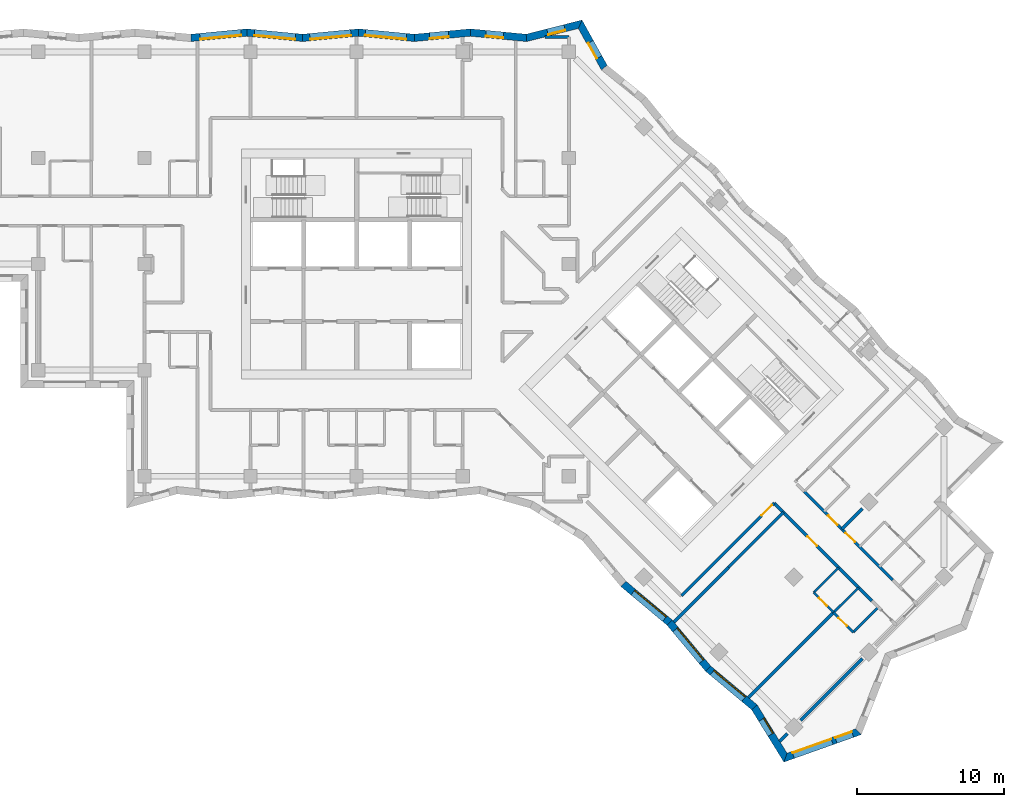
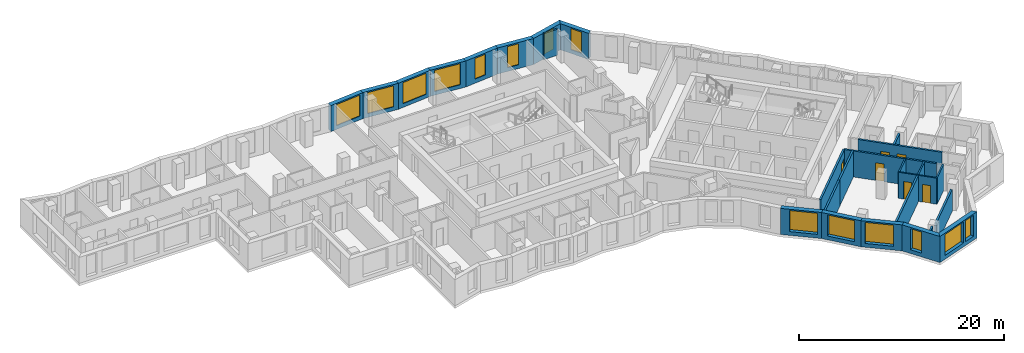
# One storey, part 7 of 12: 28 walls, 14 windows, 6 doors, 20 openings.
"""IFC4 building model written with IfcOpenShell, lengths in metres."""

from ifc_helpers import new_model, si_unit, direction, frame, frame_2d, origin, place, context, subcontext, project, spatial, polyline, rectangle, outline, extrude, material, layer, layer_set, type_object, element, fill, save


model = new_model("IFC4")

# Units and contexts
model_context = context("Model", 3, precision=1e-05, world=origin(), true_north=direction((0.0, 1.0)))
body_context = subcontext(model_context, "Body", "Model", "MODEL_VIEW")
ifc_project = project(units=[si_unit("LENGTHUNIT", "METRE"), si_unit("AREAUNIT", "SQUARE_METRE"), si_unit("VOLUMEUNIT", "CUBIC_METRE"), si_unit("PLANEANGLEUNIT", "RADIAN"), si_unit("MASSUNIT", "GRAM", prefix="KILO")], contexts=[model_context])

# Site, building, storey
site_placement = place(None, origin())
site = spatial("IfcSite", under=ifc_project, at=site_placement, CompositionType="ELEMENT")
building_placement = place(site_placement, origin())
building = spatial("IfcBuilding", under=site, at=building_placement, Name="Windrow Commons", CompositionType="ELEMENT")
storey_placement = place(building_placement, frame((0.0, 0.0, 142.2)))
storey = spatial("IfcBuildingStorey", under=building, at=storey_placement, Name="L38", CompositionType="ELEMENT", Elevation=142.2)

# Wall, openings, windows
ifc_material_1 = material(Name="Brick masonry, red clay brick", Category="masonry")
ifc_layer_1 = layer(ifc_material_1, 0.5)
ifc_layer_set_1 = layer_set([ifc_layer_1], Name="Brick facade wall 500")
wall_type_1 = type_object("IfcWallType", Name="Brick facade wall 500", PredefinedType="SOLIDWALL", material=ifc_layer_set_1)
wall_1_placement = place(storey_placement, frame((93.9006, 24.106, 0.0), z_axis=(0.0, 0.0, 1.0), x_axis=(0.9424200238, 0.3344316056, 0.0)))
wall_1 = element("IfcWall", 1, at=wall_1_placement, inside=storey, type_object=wall_type_1, Name="Brick facade wall L38 1", PredefinedType="SOLIDWALL", context=body_context, shape_type="SweptSolid", body=[
    extrude(outline(polyline([(-0.2019, -0.25), (5.3806, -0.25), (5.1525, 0.25), (0.2019, 0.25), (-0.2019, -0.25)])), origin(), (0.0, 0.0, 1.0), 3.1),
])
opening_1_placement = place(wall_1_placement, frame((0.5514, 0.0, 0.45)))
opening_1 = element("IfcOpeningElement", 2, at=opening_1_placement, cuts=wall_1, Name="Opening W1U", PredefinedType="OPENING", context=body_context, shape_type="SweptSolid", body=[
    extrude(rectangle(XDim=2.8, YDim=2.5, at=frame_2d((1.4, 1.25))), frame((0.0, 0.26, 0.0), z_axis=(0.0, -1.0, 0.0), x_axis=(1.0, 0.0, 0.0)), (0.0, 0.0, 1.0), 0.52),
])
opening_2_placement = place(wall_1_placement, frame((3.6267, 0.0, 0.45)))
opening_2 = element("IfcOpeningElement", 3, at=opening_2_placement, cuts=wall_1, Name="Opening W7E", PredefinedType="OPENING", context=body_context, shape_type="SweptSolid", body=[
    extrude(rectangle(XDim=1.2, YDim=2.5, at=frame_2d((0.6, 1.25))), frame((0.0, 0.26, 0.0), z_axis=(0.0, -1.0, 0.0), x_axis=(1.0, 0.0, 0.0)), (0.0, 0.0, 1.0), 0.52),
])
ifc_material_2 = material(Name="Clear float glass in anodised aluminium frame", Category="aluminium")
window_type_1 = type_object("IfcWindowType", Name="Window W1U bedroom 2800x2500", PartitioningType="SINGLE_PANEL", PredefinedType="WINDOW", material=ifc_material_2)
window_1_placement = place(opening_1_placement, origin())
window_1 = element("IfcWindow", 4, at=window_1_placement, inside=storey, type_object=window_type_1, Name="Window L38 1.1", OverallHeight=2.5, OverallWidth=2.8, PartitioningType="SINGLE_PANEL", PredefinedType="WINDOW", context=body_context, shape_type="SweptSolid", body=[
    extrude(rectangle(XDim=2.8, YDim=2.5, at=frame_2d((1.4, 1.25))), frame((0.0, 0.18, 0.0), z_axis=(0.0, -1.0, 0.0), x_axis=(1.0, 0.0, 0.0)), (0.0, 0.0, 1.0), 0.06),
])
fill(opening_1, window_1)
ifc_material_3 = material(Name="Clear float glass in anodised aluminium frame", Category="aluminium")
window_type_2 = type_object("IfcWindowType", Name="Window W7 notch 1200x2500", PartitioningType="SINGLE_PANEL", PredefinedType="WINDOW", material=ifc_material_3)
window_2_placement = place(opening_2_placement, origin())
window_2 = element("IfcWindow", 5, at=window_2_placement, inside=storey, type_object=window_type_2, Name="Window L38 1.2", OverallHeight=2.5, OverallWidth=1.2, PartitioningType="SINGLE_PANEL", PredefinedType="WINDOW", context=body_context, shape_type="SweptSolid", body=[
    extrude(rectangle(XDim=1.2, YDim=2.5, at=frame_2d((0.6, 1.25))), frame((0.0, 0.18, 0.0), z_axis=(0.0, -1.0, 0.0), x_axis=(1.0, 0.0, 0.0)), (0.0, 0.0, 1.0), 0.06),
])
fill(opening_2, window_2)

# Wall, opening, window
wall_2_placement = place(storey_placement, frame((81.607, 70.9312, 0.0), z_axis=(0.0, 0.0, 1.0), x_axis=(-0.4864047305, 0.8737336197, 0.0)))
wall_2 = element("IfcWall", 6, at=wall_2_placement, inside=storey, type_object=wall_type_1, Name="Brick facade wall L38 18", PredefinedType="SOLIDWALL", context=body_context, shape_type="SweptSolid", body=[
    extrude(outline(polyline([(0.0486, -0.25), (3.5574, -0.25), (3.1729, 0.25), (-0.0486, 0.25), (0.0486, -0.25)])), origin(), (0.0, 0.0, 1.0), 3.1),
])
opening_3_placement = place(wall_2_placement, frame((0.7777, 0.0, 0.45)))
opening_3 = element("IfcOpeningElement", 7, at=opening_3_placement, cuts=wall_2, Name="Opening W7E", PredefinedType="OPENING", context=body_context, shape_type="SweptSolid", body=[
    extrude(rectangle(XDim=1.2, YDim=2.5, at=frame_2d((0.6, 1.25))), frame((0.0, 0.26, 0.0), z_axis=(0.0, -1.0, 0.0), x_axis=(1.0, 0.0, 0.0)), (0.0, 0.0, 1.0), 0.52),
])
window_3_placement = place(opening_3_placement, origin())
window_3 = element("IfcWindow", 8, at=window_3_placement, inside=storey, type_object=window_type_2, Name="Window L38 18.1", OverallHeight=2.5, OverallWidth=1.2, PartitioningType="SINGLE_PANEL", PredefinedType="WINDOW", context=body_context, shape_type="SweptSolid", body=[
    extrude(rectangle(XDim=1.2, YDim=2.5, at=frame_2d((0.6, 1.25))), frame((0.0, 0.18, 0.0), z_axis=(0.0, -1.0, 0.0), x_axis=(1.0, 0.0, 0.0)), (0.0, 0.0, 1.0), 0.06),
])
fill(opening_3, window_3)

wall_3_placement = place(storey_placement, frame((79.9702, 73.8714, 0.0), z_axis=(0.0, 0.0, 1.0), x_axis=(-0.9693397955, -0.2457241559, 0.0)))
wall_3 = element("IfcWall", 9, at=wall_3_placement, inside=storey, type_object=wall_type_1, Name="Brick facade wall L38 19", PredefinedType="SOLIDWALL", context=body_context, shape_type="SweptSolid", body=[
    extrude(outline(polyline([(-0.1922, -0.25), (3.7187, -0.25), (3.8053, 0.25), (0.1922, 0.25), (-0.1922, -0.25)])), origin(), (0.0, 0.0, 1.0), 3.1),
])
opening_4_placement = place(wall_3_placement, frame((1.0783, 0.0, 0.45)))
opening_4 = element("IfcOpeningElement", 10, at=opening_4_placement, cuts=wall_3, Name="Opening W7E", PredefinedType="OPENING", context=body_context, shape_type="SweptSolid", body=[
    extrude(rectangle(XDim=1.2, YDim=2.5, at=frame_2d((0.6, 1.25))), frame((0.0, 0.26, 0.0), z_axis=(0.0, -1.0, 0.0), x_axis=(1.0, 0.0, 0.0)), (0.0, 0.0, 1.0), 0.52),
])
window_4_placement = place(opening_4_placement, origin())
window_4 = element("IfcWindow", 11, at=window_4_placement, inside=storey, type_object=window_type_2, Name="Window L38 19.1", OverallHeight=2.5, OverallWidth=1.2, PartitioningType="SINGLE_PANEL", PredefinedType="WINDOW", context=body_context, shape_type="SweptSolid", body=[
    extrude(rectangle(XDim=1.2, YDim=2.5, at=frame_2d((0.6, 1.25))), frame((0.0, 0.18, 0.0), z_axis=(0.0, -1.0, 0.0), x_axis=(1.0, 0.0, 0.0)), (0.0, 0.0, 1.0), 0.06),
])
fill(opening_4, window_4)

wall_4_placement = place(storey_placement, frame((76.3236, 72.947, 0.0), z_axis=(0.0, 0.0, 1.0), x_axis=(-0.99549559, 0.0948078598, 0.0)))
wall_4 = element("IfcWall", 12, at=wall_4_placement, inside=storey, type_object=wall_type_1, Name="Brick facade wall L38 20", PredefinedType="SOLIDWALL", context=body_context, shape_type="SweptSolid", body=[
    extrude(outline(polyline([(0.0433, -0.25), (3.8515, -0.25), (3.8039, 0.25), (-0.0433, 0.25), (0.0433, -0.25)])), origin(), (0.0, 0.0, 1.0), 3.1),
])
opening_5_placement = place(wall_4_placement, frame((1.5654, 0.0, 0.45)))
opening_5 = element("IfcOpeningElement", 13, at=opening_5_placement, cuts=wall_4, Name="Opening W7E", PredefinedType="OPENING", context=body_context, shape_type="SweptSolid", body=[
    extrude(rectangle(XDim=1.2, YDim=2.5, at=frame_2d((0.6, 1.25))), frame((0.0, 0.26, 0.0), z_axis=(0.0, -1.0, 0.0), x_axis=(1.0, 0.0, 0.0)), (0.0, 0.0, 1.0), 0.52),
])
window_5_placement = place(opening_5_placement, origin())
window_5 = element("IfcWindow", 14, at=window_5_placement, inside=storey, type_object=window_type_2, Name="Window L38 20.1", OverallHeight=2.5, OverallWidth=1.2, PartitioningType="SINGLE_PANEL", PredefinedType="WINDOW", context=body_context, shape_type="SweptSolid", body=[
    extrude(rectangle(XDim=1.2, YDim=2.5, at=frame_2d((0.6, 1.25))), frame((0.0, 0.18, 0.0), z_axis=(0.0, -1.0, 0.0), x_axis=(1.0, 0.0, 0.0)), (0.0, 0.0, 1.0), 0.06),
])
fill(opening_5, window_5)

wall_5_placement = place(storey_placement, frame((72.5131, 73.3099, 0.0), z_axis=(0.0, 0.0, 1.0), x_axis=(-0.9954966527, -0.0947967005, 0.0)))
wall_5 = element("IfcWall", 15, at=wall_5_placement, inside=storey, type_object=wall_type_1, Name="Brick facade wall L38 21", PredefinedType="SOLIDWALL", context=body_context, shape_type="SweptSolid", body=[
    extrude(outline(polyline([(-0.0238, -0.25), (3.7844, -0.25), (3.832, 0.25), (0.0238, 0.25), (-0.0238, -0.25)])), origin(), (0.0, 0.0, 1.0), 3.1),
])
opening_6_placement = place(wall_5_placement, frame((1.4706, 0.0, 0.5)))
opening_6 = element("IfcOpeningElement", 16, at=opening_6_placement, cuts=wall_5, Name="Opening W1P", PredefinedType="OPENING", context=body_context, shape_type="SweptSolid", body=[
    extrude(rectangle(XDim=1.3, YDim=2.45, at=frame_2d((0.65, 1.225))), frame((0.0, 0.26, 0.0), z_axis=(0.0, -1.0, 0.0), x_axis=(1.0, 0.0, 0.0)), (0.0, 0.0, 1.0), 0.52),
])
ifc_material_4 = material(Name="Clear float glass in anodised aluminium frame", Category="aluminium")
window_type_3 = type_object("IfcWindowType", Name="Window W1P pair 1300x2450", PartitioningType="SINGLE_PANEL", PredefinedType="WINDOW", material=ifc_material_4)
window_6_placement = place(opening_6_placement, origin())
window_6 = element("IfcWindow", 17, at=window_6_placement, inside=storey, type_object=window_type_3, Name="Window L38 21.1A", OverallHeight=2.45, OverallWidth=1.3, PartitioningType="SINGLE_PANEL", PredefinedType="WINDOW", context=body_context, shape_type="SweptSolid", body=[
    extrude(rectangle(XDim=1.3, YDim=2.45, at=frame_2d((0.65, 1.225))), frame((0.0, 0.18, 0.0), z_axis=(0.0, -1.0, 0.0), x_axis=(1.0, 0.0, 0.0)), (0.0, 0.0, 1.0), 0.06),
])
fill(opening_6, window_6)

wall_6_placement = place(storey_placement, frame((68.7221, 72.9489, 0.0), z_axis=(0.0, 0.0, 1.0), x_axis=(-0.9954966527, 0.0947967005, 0.0)))
wall_6 = element("IfcWall", 18, at=wall_6_placement, inside=storey, type_object=wall_type_1, Name="Brick facade wall L38 22", PredefinedType="SOLIDWALL", context=body_context, shape_type="SweptSolid", body=[
    extrude(outline(polyline([(0.0238, -0.25), (3.832, -0.25), (3.7844, 0.25), (-0.0238, 0.25), (0.0238, -0.25)])), origin(), (0.0, 0.0, 1.0), 3.1),
])
opening_7_placement = place(wall_6_placement, frame((0.554, 0.0, 0.45)))
opening_7 = element("IfcOpeningElement", 19, at=opening_7_placement, cuts=wall_6, Name="Opening W1U", PredefinedType="OPENING", context=body_context, shape_type="SweptSolid", body=[
    extrude(rectangle(XDim=2.8, YDim=2.5, at=frame_2d((1.4, 1.25))), frame((0.0, 0.26, 0.0), z_axis=(0.0, -1.0, 0.0), x_axis=(1.0, 0.0, 0.0)), (0.0, 0.0, 1.0), 0.52),
])
window_7_placement = place(opening_7_placement, origin())
window_7 = element("IfcWindow", 20, at=window_7_placement, inside=storey, type_object=window_type_1, Name="Window L38 22.1", OverallHeight=2.5, OverallWidth=2.8, PartitioningType="SINGLE_PANEL", PredefinedType="WINDOW", context=body_context, shape_type="SweptSolid", body=[
    extrude(rectangle(XDim=2.8, YDim=2.5, at=frame_2d((1.4, 1.25))), frame((0.0, 0.18, 0.0), z_axis=(0.0, -1.0, 0.0), x_axis=(1.0, 0.0, 0.0)), (0.0, 0.0, 1.0), 0.06),
])
fill(opening_7, window_7)

wall_7_placement = place(storey_placement, frame((64.9311, 73.3099, 0.0), z_axis=(0.0, 0.0, 1.0), x_axis=(-0.9954966527, -0.0947967005, 0.0)))
wall_7 = element("IfcWall", 21, at=wall_7_placement, inside=storey, type_object=wall_type_1, Name="Brick facade wall L38 23", PredefinedType="SOLIDWALL", context=body_context, shape_type="SweptSolid", body=[
    extrude(outline(polyline([(-0.0238, -0.25), (3.7844, -0.25), (3.832, 0.25), (0.0238, 0.25), (-0.0238, -0.25)])), origin(), (0.0, 0.0, 1.0), 3.1),
])
opening_8_placement = place(wall_7_placement, frame((0.516, 0.0, 0.45)))
opening_8 = element("IfcOpeningElement", 22, at=opening_8_placement, cuts=wall_7, Name="Opening W1U", PredefinedType="OPENING", context=body_context, shape_type="SweptSolid", body=[
    extrude(rectangle(XDim=2.8, YDim=2.5, at=frame_2d((1.4, 1.25))), frame((0.0, 0.26, 0.0), z_axis=(0.0, -1.0, 0.0), x_axis=(1.0, 0.0, 0.0)), (0.0, 0.0, 1.0), 0.52),
])
window_8_placement = place(opening_8_placement, origin())
window_8 = element("IfcWindow", 23, at=window_8_placement, inside=storey, type_object=window_type_1, Name="Window L38 23.1", OverallHeight=2.5, OverallWidth=2.8, PartitioningType="SINGLE_PANEL", PredefinedType="WINDOW", context=body_context, shape_type="SweptSolid", body=[
    extrude(rectangle(XDim=2.8, YDim=2.5, at=frame_2d((1.4, 1.25))), frame((0.0, 0.18, 0.0), z_axis=(0.0, -1.0, 0.0), x_axis=(1.0, 0.0, 0.0)), (0.0, 0.0, 1.0), 0.06),
])
fill(opening_8, window_8)

wall_8_placement = place(storey_placement, frame((61.1401, 72.9489, 0.0), z_axis=(0.0, 0.0, 1.0), x_axis=(-0.9954966527, 0.0947967005, 0.0)))
wall_8 = element("IfcWall", 24, at=wall_8_placement, inside=storey, type_object=wall_type_1, Name="Brick facade wall L38 24", PredefinedType="SOLIDWALL", context=body_context, shape_type="SweptSolid", body=[
    extrude(outline(polyline([(0.0238, -0.25), (3.832, -0.25), (3.7844, 0.25), (-0.0238, 0.25), (0.0238, -0.25)])), origin(), (0.0, 0.0, 1.0), 3.1),
])
opening_9_placement = place(wall_8_placement, frame((0.4922, 0.0, 0.45)))
opening_9 = element("IfcOpeningElement", 25, at=opening_9_placement, cuts=wall_8, Name="Opening W1U", PredefinedType="OPENING", context=body_context, shape_type="SweptSolid", body=[
    extrude(rectangle(XDim=2.8, YDim=2.5, at=frame_2d((1.4, 1.25))), frame((0.0, 0.26, 0.0), z_axis=(0.0, -1.0, 0.0), x_axis=(1.0, 0.0, 0.0)), (0.0, 0.0, 1.0), 0.52),
])
window_9_placement = place(opening_9_placement, origin())
window_9 = element("IfcWindow", 26, at=window_9_placement, inside=storey, type_object=window_type_1, Name="Window L38 24.1", OverallHeight=2.5, OverallWidth=2.8, PartitioningType="SINGLE_PANEL", PredefinedType="WINDOW", context=body_context, shape_type="SweptSolid", body=[
    extrude(rectangle(XDim=2.8, YDim=2.5, at=frame_2d((1.4, 1.25))), frame((0.0, 0.18, 0.0), z_axis=(0.0, -1.0, 0.0), x_axis=(1.0, 0.0, 0.0)), (0.0, 0.0, 1.0), 0.06),
])
fill(opening_9, window_9)

wall_9_placement = place(storey_placement, frame((57.3491, 73.3099, 0.0), z_axis=(0.0, 0.0, 1.0), x_axis=(-0.9954966527, -0.0947967005, 0.0)))
wall_9 = element("IfcWall", 27, at=wall_9_placement, inside=storey, type_object=wall_type_1, Name="Brick facade wall L38 25", PredefinedType="SOLIDWALL", context=body_context, shape_type="SweptSolid", body=[
    extrude(outline(polyline([(-0.0238, -0.25), (3.7844, -0.25), (3.832, 0.25), (0.0238, 0.25), (-0.0238, -0.25)])), origin(), (0.0, 0.0, 1.0), 3.1),
])
opening_10_placement = place(wall_9_placement, frame((0.394, 0.0, 0.45)))
opening_10 = element("IfcOpeningElement", 28, at=opening_10_placement, cuts=wall_9, Name="Opening W1U", PredefinedType="OPENING", context=body_context, shape_type="SweptSolid", body=[
    extrude(rectangle(XDim=2.8, YDim=2.5, at=frame_2d((1.4, 1.25))), frame((0.0, 0.26, 0.0), z_axis=(0.0, -1.0, 0.0), x_axis=(1.0, 0.0, 0.0)), (0.0, 0.0, 1.0), 0.52),
])
window_10_placement = place(opening_10_placement, origin())
window_10 = element("IfcWindow", 29, at=window_10_placement, inside=storey, type_object=window_type_1, Name="Window L38 25.1", OverallHeight=2.5, OverallWidth=2.8, PartitioningType="SINGLE_PANEL", PredefinedType="WINDOW", context=body_context, shape_type="SweptSolid", body=[
    extrude(rectangle(XDim=2.8, YDim=2.5, at=frame_2d((1.4, 1.25))), frame((0.0, 0.18, 0.0), z_axis=(0.0, -1.0, 0.0), x_axis=(1.0, 0.0, 0.0)), (0.0, 0.0, 1.0), 0.06),
])
fill(opening_10, window_10)

wall_10_placement = place(storey_placement, frame((82.905, 35.8954, 0.0), z_axis=(0.0, 0.0, 1.0), x_axis=(0.7669033121, -0.6417626585, 0.0)))
wall_10 = element("IfcWall", 30, at=wall_10_placement, inside=storey, type_object=wall_type_1, Name="Brick facade wall L38 52", PredefinedType="SOLIDWALL", context=body_context, shape_type="SweptSolid", body=[
    extrude(outline(polyline([(-0.0222, -0.25), (4.0564, -0.25), (4.1008, 0.25), (0.0222, 0.25), (-0.0222, -0.25)])), origin(), (0.0, 0.0, 1.0), 3.1),
])
opening_11_placement = place(wall_10_placement, frame((0.8658, 0.0, 0.45)))
opening_11 = element("IfcOpeningElement", 31, at=opening_11_placement, cuts=wall_10, Name="Opening W1U", PredefinedType="OPENING", context=body_context, shape_type="SweptSolid", body=[
    extrude(rectangle(XDim=2.8, YDim=2.5, at=frame_2d((1.4, 1.25))), frame((0.0, 0.26, 0.0), z_axis=(0.0, -1.0, 0.0), x_axis=(1.0, 0.0, 0.0)), (0.0, 0.0, 1.0), 0.52),
])
window_11_placement = place(opening_11_placement, origin())
window_11 = element("IfcWindow", 32, at=window_11_placement, inside=storey, type_object=window_type_1, Name="Window L38 52.1", OverallHeight=2.5, OverallWidth=2.8, PartitioningType="SINGLE_PANEL", PredefinedType="WINDOW", context=body_context, shape_type="SweptSolid", body=[
    extrude(rectangle(XDim=2.8, YDim=2.5, at=frame_2d((1.4, 1.25))), frame((0.0, 0.18, 0.0), z_axis=(0.0, -1.0, 0.0), x_axis=(1.0, 0.0, 0.0)), (0.0, 0.0, 1.0), 0.06),
])
fill(opening_11, window_11)

wall_11_placement = place(storey_placement, frame((86.0329, 33.2779, 0.0), z_axis=(0.0, 0.0, 1.0), x_axis=(0.641748238, -0.7669153793, 0.0)))
wall_11 = element("IfcWall", 33, at=wall_11_placement, inside=storey, type_object=wall_type_1, Name="Brick facade wall L38 53", PredefinedType="SOLIDWALL", context=body_context, shape_type="SweptSolid", body=[
    extrude(outline(polyline([(0.0222, -0.25), (4.1008, -0.25), (4.0564, 0.25), (-0.0222, 0.25), (0.0222, -0.25)])), origin(), (0.0, 0.0, 1.0), 3.1),
])
opening_12_placement = place(wall_11_placement, frame((0.6282, 0.0, 0.45)))
opening_12 = element("IfcOpeningElement", 34, at=opening_12_placement, cuts=wall_11, Name="Opening W1U", PredefinedType="OPENING", context=body_context, shape_type="SweptSolid", body=[
    extrude(rectangle(XDim=2.8, YDim=2.5, at=frame_2d((1.4, 1.25))), frame((0.0, 0.26, 0.0), z_axis=(0.0, -1.0, 0.0), x_axis=(1.0, 0.0, 0.0)), (0.0, 0.0, 1.0), 0.52),
])
window_12_placement = place(opening_12_placement, origin())
window_12 = element("IfcWindow", 35, at=window_12_placement, inside=storey, type_object=window_type_1, Name="Window L38 53.1", OverallHeight=2.5, OverallWidth=2.8, PartitioningType="SINGLE_PANEL", PredefinedType="WINDOW", context=body_context, shape_type="SweptSolid", body=[
    extrude(rectangle(XDim=2.8, YDim=2.5, at=frame_2d((1.4, 1.25))), frame((0.0, 0.18, 0.0), z_axis=(0.0, -1.0, 0.0), x_axis=(1.0, 0.0, 0.0)), (0.0, 0.0, 1.0), 0.06),
])
fill(opening_12, window_12)

wall_12_placement = place(storey_placement, frame((88.6503, 30.15, 0.0), z_axis=(0.0, 0.0, 1.0), x_axis=(0.7669272434, -0.6417340597, 0.0)))
wall_12 = element("IfcWall", 36, at=wall_12_placement, inside=storey, type_object=wall_type_1, Name="Brick facade wall L38 54", PredefinedType="SOLIDWALL", context=body_context, shape_type="SweptSolid", body=[
    extrude(outline(polyline([(-0.0222, -0.25), (4.0564, -0.25), (4.1373, 0.25), (0.0222, 0.25), (-0.0222, -0.25)])), origin(), (0.0, 0.0, 1.0), 3.1),
])
opening_13_placement = place(wall_12_placement, frame((0.3802, 0.0, 0.45)))
opening_13 = element("IfcOpeningElement", 37, at=opening_13_placement, cuts=wall_12, Name="Opening W1U", PredefinedType="OPENING", context=body_context, shape_type="SweptSolid", body=[
    extrude(rectangle(XDim=2.8, YDim=2.5, at=frame_2d((1.4, 1.25))), frame((0.0, 0.26, 0.0), z_axis=(0.0, -1.0, 0.0), x_axis=(1.0, 0.0, 0.0)), (0.0, 0.0, 1.0), 0.52),
])
window_13_placement = place(opening_13_placement, origin())
window_13 = element("IfcWindow", 38, at=window_13_placement, inside=storey, type_object=window_type_1, Name="Window L38 54.1", OverallHeight=2.5, OverallWidth=2.8, PartitioningType="SINGLE_PANEL", PredefinedType="WINDOW", context=body_context, shape_type="SweptSolid", body=[
    extrude(rectangle(XDim=2.8, YDim=2.5, at=frame_2d((1.4, 1.25))), frame((0.0, 0.18, 0.0), z_axis=(0.0, -1.0, 0.0), x_axis=(1.0, 0.0, 0.0)), (0.0, 0.0, 1.0), 0.06),
])
fill(opening_13, window_13)

wall_13_placement = place(storey_placement, frame((91.7923, 27.5209, 0.0), z_axis=(0.0, 0.0, 1.0), x_axis=(0.5253300119, -0.8508985713, 0.0)))
wall_13 = element("IfcWall", 39, at=wall_13_placement, inside=storey, type_object=wall_type_1, Name="Brick facade wall L38 55", PredefinedType="SOLIDWALL", context=body_context, shape_type="SweptSolid", body=[
    extrude(outline(polyline([(0.0405, -0.25), (4.2152, -0.25), (3.8114, 0.25), (-0.0405, 0.25), (0.0405, -0.25)])), origin(), (0.0, 0.0, 1.0), 3.1),
])
opening_14_placement = place(wall_13_placement, frame((0.9615, 0.0, 0.45)))
opening_14 = element("IfcOpeningElement", 40, at=opening_14_placement, cuts=wall_13, Name="Opening W7E", PredefinedType="OPENING", context=body_context, shape_type="SweptSolid", body=[
    extrude(rectangle(XDim=1.2, YDim=2.5, at=frame_2d((0.6, 1.25))), frame((0.0, 0.26, 0.0), z_axis=(0.0, -1.0, 0.0), x_axis=(1.0, 0.0, 0.0)), (0.0, 0.0, 1.0), 0.52),
])
window_14_placement = place(opening_14_placement, origin())
window_14 = element("IfcWindow", 41, at=window_14_placement, inside=storey, type_object=window_type_2, Name="Window L38 55.1", OverallHeight=2.5, OverallWidth=1.2, PartitioningType="SINGLE_PANEL", PredefinedType="WINDOW", context=body_context, shape_type="SweptSolid", body=[
    extrude(rectangle(XDim=1.2, YDim=2.5, at=frame_2d((0.6, 1.25))), frame((0.0, 0.18, 0.0), z_axis=(0.0, -1.0, 0.0), x_axis=(1.0, 0.0, 0.0)), (0.0, 0.0, 1.0), 0.06),
])
fill(opening_14, window_14)

# Wall, opening, door
ifc_material_5 = material(Name="Blockwork partition", Category="masonry")
ifc_layer_2 = layer(ifc_material_5, 0.2)
ifc_layer_set_2 = layer_set([ifc_layer_2], Name="IW-CORRIDOR-200")
wall_type_2 = type_object("IfcWallType", Name="IW-CORRIDOR-200", PredefinedType="PARTITIONING", material=ifc_layer_set_2)
wall_14_placement = place(storey_placement, frame((93.1269, 41.3789, 0.0), z_axis=(0.0, 0.0, 1.0), x_axis=(0.7071067812, -0.7071067812, 0.0)))
wall_14 = element("IfcWall", 42, at=wall_14_placement, inside=storey, type_object=wall_type_2, Name="W-L38-W006", PredefinedType="PARTITIONING", context=body_context, shape_type="SweptSolid", body=[
    extrude(rectangle(XDim=9.3904, YDim=0.2, at=frame_2d((4.6952, 0.0))), origin(), (0.0, 0.0, 1.0), 3.1),
])
opening_15_placement = place(wall_14_placement, frame((3.2004, 0.0, 0.0)))
opening_15 = element("IfcOpeningElement", 43, at=opening_15_placement, cuts=wall_14, Name="Opening D109F", PredefinedType="OPENING", context=body_context, shape_type="SweptSolid", body=[
    extrude(rectangle(XDim=0.9, YDim=2.1, at=frame_2d((0.45, 1.05))), frame((0.0, 0.11, 0.0), z_axis=(0.0, -1.0, 0.0), x_axis=(1.0, 0.0, 0.0)), (0.0, 0.0, 1.0), 0.22),
])
ifc_material_6 = material(Name="Timber door leaf", Category="wood")
door_type_1 = type_object("IfcDoorType", Name="DT-BEDROOM-900", OperationType="SINGLE_SWING_LEFT", PredefinedType="DOOR", material=ifc_material_6)
door_1_placement = place(opening_15_placement, origin())
door_1 = element("IfcDoor", 44, at=door_1_placement, inside=storey, type_object=door_type_1, Name="D-L38-D045", OperationType="SINGLE_SWING_LEFT", OverallHeight=2.1, OverallWidth=0.9, PredefinedType="DOOR", context=body_context, shape_type="SweptSolid", body=[
    extrude(rectangle(XDim=0.9, YDim=2.1, at=frame_2d((0.45, 1.05))), frame((0.0, 0.025, 0.0), z_axis=(0.0, -1.0, 0.0), x_axis=(1.0, 0.0, 0.0)), (0.0, 0.0, 1.0), 0.05),
])
fill(opening_15, door_1)

wall_15_placement = place(storey_placement, frame((86.837, 35.091, 0.0), z_axis=(0.0, 0.0, 1.0), x_axis=(0.7071067812, 0.7071067812, 0.0)))
wall_15 = element("IfcWall", 45, at=wall_15_placement, inside=storey, type_object=wall_type_2, Name="W-L38-W010", PredefinedType="PARTITIONING", context=body_context, shape_type="SweptSolid", body=[
    extrude(rectangle(XDim=8.8982, YDim=0.2, at=frame_2d((4.4491, 0.0))), origin(), (0.0, 0.0, 1.0), 3.1),
])
opening_16_placement = place(wall_15_placement, frame((7.7004, 0.0, 0.0)))
opening_16 = element("IfcOpeningElement", 46, at=opening_16_placement, cuts=wall_15, Name="Opening D310F", PredefinedType="OPENING", context=body_context, shape_type="SweptSolid", body=[
    extrude(rectangle(XDim=1.0, YDim=2.1, at=frame_2d((0.5, 1.05))), frame((0.0, 0.11, 0.0), z_axis=(0.0, -1.0, 0.0), x_axis=(1.0, 0.0, 0.0)), (0.0, 0.0, 1.0), 0.22),
])
ifc_material_7 = material(Name="Timber door leaf", Category="wood")
door_type_2 = type_object("IfcDoorType", Name="DT-AMENITY-1000", OperationType="SINGLE_SWING_LEFT", PredefinedType="DOOR", material=ifc_material_7)
door_2_placement = place(opening_16_placement, origin())
door_2 = element("IfcDoor", 47, at=door_2_placement, inside=storey, type_object=door_type_2, Name="D-L38-D044", OperationType="SINGLE_SWING_LEFT", OverallHeight=2.1, OverallWidth=1.0, PredefinedType="DOOR", context=body_context, shape_type="SweptSolid", body=[
    extrude(rectangle(XDim=1.0, YDim=2.1, at=frame_2d((0.5, 1.05))), frame((0.0, 0.025, 0.0), z_axis=(0.0, -1.0, 0.0), x_axis=(1.0, 0.0, 0.0)), (0.0, 0.0, 1.0), 0.05),
])
fill(opening_16, door_2)

# Wall, openings, doors
wall_16_placement = place(storey_placement, frame((95.1771, 42.1571, 0.0), z_axis=(0.0, 0.0, 1.0), x_axis=(0.7071067812, -0.7071067812, 0.0)))
wall_16 = element("IfcWall", 48, at=wall_16_placement, inside=storey, type_object=wall_type_2, Name="W-L38-W011", PredefinedType="PARTITIONING", context=body_context, shape_type="SweptSolid", body=[
    extrude(rectangle(XDim=8.4909, YDim=0.2, at=frame_2d((4.2454, 0.0))), origin(), (0.0, 0.0, 1.0), 3.1),
])
opening_17_placement = place(wall_16_placement, frame((2.3004, 0.0, 0.0)))
opening_17 = element("IfcOpeningElement", 49, at=opening_17_placement, cuts=wall_16, Name="Opening D109S", PredefinedType="OPENING", context=body_context, shape_type="SweptSolid", body=[
    extrude(rectangle(XDim=0.9, YDim=2.1, at=frame_2d((0.45, 1.05))), frame((0.0, 0.11, 0.0), z_axis=(0.0, -1.0, 0.0), x_axis=(1.0, 0.0, 0.0)), (0.0, 0.0, 1.0), 0.22),
])
opening_18_placement = place(wall_16_placement, frame((3.9504, 0.0, 0.0)))
opening_18 = element("IfcOpeningElement", 50, at=opening_18_placement, cuts=wall_16, Name="Opening D109S", PredefinedType="OPENING", context=body_context, shape_type="SweptSolid", body=[
    extrude(rectangle(XDim=0.9, YDim=2.1, at=frame_2d((0.45, 1.05))), frame((0.0, 0.11, 0.0), z_axis=(0.0, -1.0, 0.0), x_axis=(1.0, 0.0, 0.0)), (0.0, 0.0, 1.0), 0.22),
])
door_3_placement = place(opening_17_placement, origin())
door_3 = element("IfcDoor", 51, at=door_3_placement, inside=storey, type_object=door_type_1, Name="D-L38-D042", OperationType="SINGLE_SWING_RIGHT", OverallHeight=2.1, OverallWidth=0.9, PredefinedType="DOOR", context=body_context, shape_type="SweptSolid", body=[
    extrude(rectangle(XDim=0.9, YDim=2.1, at=frame_2d((0.45, 1.05))), frame((0.0, 0.025, 0.0), z_axis=(0.0, -1.0, 0.0), x_axis=(1.0, 0.0, 0.0)), (0.0, 0.0, 1.0), 0.05),
])
fill(opening_17, door_3)
door_4_placement = place(opening_18_placement, origin())
door_4 = element("IfcDoor", 52, at=door_4_placement, inside=storey, type_object=door_type_1, Name="D-L38-D047", OperationType="SINGLE_SWING_LEFT", OverallHeight=2.1, OverallWidth=0.9, PredefinedType="DOOR", context=body_context, shape_type="SweptSolid", body=[
    extrude(rectangle(XDim=0.9, YDim=2.1, at=frame_2d((0.45, 1.05))), frame((0.0, 0.025, 0.0), z_axis=(0.0, -1.0, 0.0), x_axis=(1.0, 0.0, 0.0)), (0.0, 0.0, 1.0), 0.05),
])
fill(opening_18, door_4)

# Walls
ifc_material_8 = material(Name="Blockwork partition", Category="masonry")
ifc_layer_3 = layer(ifc_material_8, 0.15)
ifc_layer_set_3 = layer_set([ifc_layer_3], Name="IW-ENSUITE-150")
wall_type_3 = type_object("IfcWallType", Name="IW-ENSUITE-150", PredefinedType="PARTITIONING", material=ifc_layer_set_3)
wall_17_placement = place(storey_placement, frame((98.5031, 32.6149, 0.0), z_axis=(0.0, 0.0, 1.0), x_axis=(0.7071067812, 0.7071067812, 0.0)))
element("IfcWall", 53, at=wall_17_placement, inside=storey, type_object=wall_type_3, Name="W-L38-W065", PredefinedType="PARTITIONING", context=body_context, shape_type="SweptSolid", body=[
    extrude(rectangle(XDim=2.4013, YDim=0.15, at=frame_2d((1.2006, 0.0))), origin(), (0.0, 0.0, 1.0), 3.1),
])
wall_18_placement = place(storey_placement, frame((97.1629, 33.9551, 0.0), z_axis=(0.0, 0.0, 1.0), x_axis=(0.7075233388, 0.706689978, 0.0)))
element("IfcWall", 54, at=wall_18_placement, inside=storey, type_object=wall_type_3, Name="W-L38-W090", PredefinedType="PARTITIONING", context=body_context, shape_type="SweptSolid", body=[
    extrude(rectangle(XDim=2.3999, YDim=0.15, at=frame_2d((1.2, 0.0))), origin(), (0.0, 0.0, 1.0), 3.1),
])
wall_19_placement = place(storey_placement, frame((95.8171, 35.3029, 0.0), z_axis=(0.0, 0.0, 1.0), x_axis=(0.7071067812, 0.7071067812, 0.0)))
element("IfcWall", 55, at=wall_19_placement, inside=storey, type_object=wall_type_3, Name="W-L38-W092", PredefinedType="PARTITIONING", context=body_context, shape_type="SweptSolid", body=[
    extrude(rectangle(XDim=2.3985, YDim=0.15, at=frame_2d((1.1992, 0.0))), origin(), (0.0, 0.0, 1.0), 3.1),
])

# Wall, opening, door
wall_20_placement = place(storey_placement, frame((97.1569, 33.9549, 0.0), z_axis=(0.0, 0.0, 1.0), x_axis=(0.7071067812, -0.7071067812, 0.0)))
wall_20 = element("IfcWall", 56, at=wall_20_placement, inside=storey, type_object=wall_type_3, Name="W-L38-W117", PredefinedType="PARTITIONING", context=body_context, shape_type="SweptSolid", body=[
    extrude(rectangle(XDim=1.9007, YDim=0.15, at=frame_2d((0.9504, 0.0))), origin(), (0.0, 0.0, 1.0), 3.1),
])
opening_19_placement = place(wall_20_placement, frame((0.5059, 0.0, 0.0)))
opening_19 = element("IfcOpeningElement", 57, at=opening_19_placement, cuts=wall_20, Name="Opening D208N", PredefinedType="OPENING", context=body_context, shape_type="SweptSolid", body=[
    extrude(rectangle(XDim=0.8, YDim=2.1, at=frame_2d((0.4, 1.05))), frame((0.0, 0.085, 0.0), z_axis=(0.0, -1.0, 0.0), x_axis=(1.0, 0.0, 0.0)), (0.0, 0.0, 1.0), 0.17),
])
ifc_material_9 = material(Name="Timber door leaf", Category="wood")
door_type_3 = type_object("IfcDoorType", Name="DT-ENSUITE-800", OperationType="SINGLE_SWING_LEFT", PredefinedType="DOOR", material=ifc_material_9)
door_5_placement = place(opening_19_placement, origin())
door_5 = element("IfcDoor", 58, at=door_5_placement, inside=storey, type_object=door_type_3, Name="D-L38-D052", OperationType="SINGLE_SWING_RIGHT", OverallHeight=2.1, OverallWidth=0.8, PredefinedType="DOOR", context=body_context, shape_type="SweptSolid", body=[
    extrude(rectangle(XDim=0.8, YDim=2.1, at=frame_2d((0.4, 1.05))), frame((0.0, 0.025, 0.0), z_axis=(0.0, -1.0, 0.0), x_axis=(1.0, 0.0, 0.0)), (0.0, 0.0, 1.0), 0.05),
])
fill(opening_19, door_5)

wall_21_placement = place(storey_placement, frame((95.8196, 35.3036, 0.0), z_axis=(0.0, 0.0, 1.0), x_axis=(0.7065800724, -0.7076330979, 0.0)))
wall_21 = element("IfcWall", 59, at=wall_21_placement, inside=storey, type_object=wall_type_3, Name="W-L38-W129", PredefinedType="PARTITIONING", context=body_context, shape_type="SweptSolid", body=[
    extrude(rectangle(XDim=1.8993, YDim=0.15, at=frame_2d((0.9496, 0.0))), origin(), (0.0, 0.0, 1.0), 3.1),
])
opening_20_placement = place(wall_21_placement, frame((0.493, 0.0, 0.0)))
opening_20 = element("IfcOpeningElement", 60, at=opening_20_placement, cuts=wall_21, Name="Opening D208N", PredefinedType="OPENING", context=body_context, shape_type="SweptSolid", body=[
    extrude(rectangle(XDim=0.8, YDim=2.1, at=frame_2d((0.4, 1.05))), frame((0.0, 0.085, 0.0), z_axis=(0.0, -1.0, 0.0), x_axis=(1.0, 0.0, 0.0)), (0.0, 0.0, 1.0), 0.17),
])
door_6_placement = place(opening_20_placement, origin())
door_6 = element("IfcDoor", 61, at=door_6_placement, inside=storey, type_object=door_type_3, Name="D-L38-D046", OperationType="SINGLE_SWING_RIGHT", OverallHeight=2.1, OverallWidth=0.8, PredefinedType="DOOR", context=body_context, shape_type="SweptSolid", body=[
    extrude(rectangle(XDim=0.8, YDim=2.1, at=frame_2d((0.4, 1.05))), frame((0.0, 0.025, 0.0), z_axis=(0.0, -1.0, 0.0), x_axis=(1.0, 0.0, 0.0)), (0.0, 0.0, 1.0), 0.05),
])
fill(opening_20, door_6)

# Walls
ifc_material_10 = material(Name="Blockwork partition", Category="masonry")
ifc_layer_4 = layer(ifc_material_10, 0.2)
ifc_layer_set_4 = layer_set([ifc_layer_4], Name="IW-PARTY-200")
wall_type_4 = type_object("IfcWallType", Name="IW-PARTY-200", PredefinedType="PARTITIONING", material=ifc_layer_set_4)
wall_22_placement = place(storey_placement, frame((91.3871, 28.1859, 0.0), z_axis=(0.0, 0.0, 1.0), x_axis=(0.7071067812, 0.7071067812, 0.0)))
element("IfcWall", 62, at=wall_22_placement, inside=storey, type_object=wall_type_4, Name="W-L38-W017", PredefinedType="PARTITIONING", context=body_context, shape_type="SweptSolid", body=[
    extrude(rectangle(XDim=8.1635, YDim=0.2, at=frame_2d((4.0818, 0.0))), origin(), (0.0, 0.0, 1.0), 3.1),
])
wall_23_placement = place(storey_placement, frame((94.9232, 26.6308, 0.0), z_axis=(0.0, 0.0, 1.0), x_axis=(0.7071067812, 0.7071067812, 0.0)))
element("IfcWall", 63, at=wall_23_placement, inside=storey, type_object=wall_type_4, Name="W-L38-W027", PredefinedType="PARTITIONING", context=body_context, shape_type="SweptSolid", body=[
    extrude(rectangle(XDim=5.9256, YDim=0.2, at=frame_2d((2.9628, 0.0))), origin(), (0.0, 0.0, 1.0), 2.6),
])
wall_24_placement = place(storey_placement, frame((90.0474, 37.0286, 0.0), z_axis=(0.0, 0.0, 1.0), x_axis=(0.7071067812, 0.7071067812, 0.0)))
element("IfcWall", 64, at=wall_24_placement, inside=storey, type_object=wall_type_4, Name="W-L38-W032", PredefinedType="PARTITIONING", context=body_context, shape_type="SweptSolid", body=[
    extrude(rectangle(XDim=5.258, YDim=0.2, at=frame_2d((2.629, 0.0))), origin(), (0.0, 0.0, 1.0), 3.1),
])
wall_25_placement = place(storey_placement, frame((86.335, 33.3064, 0.0), z_axis=(0.0, 0.0, 1.0), x_axis=(0.7069165351, 0.7072969761, 0.0)))
element("IfcWall", 65, at=wall_25_placement, inside=storey, type_object=wall_type_4, Name="W-L38-W033", PredefinedType="PARTITIONING", context=body_context, shape_type="SweptSolid", body=[
    extrude(rectangle(XDim=5.2571, YDim=0.2, at=frame_2d((2.6286, 0.0))), origin(), (0.0, 0.0, 1.0), 3.1),
])
wall_26_placement = place(storey_placement, frame((97.725, 39.615, 0.0), z_axis=(0.0, 0.0, 1.0), x_axis=(0.7071067812, 0.7071067812, 0.0)))
element("IfcWall", 66, at=wall_26_placement, inside=storey, type_object=wall_type_4, Name="W-L38-W114", PredefinedType="PARTITIONING", context=body_context, shape_type="SweptSolid", body=[
    extrude(rectangle(XDim=1.9658, YDim=0.2, at=frame_2d((0.9829, 0.0))), origin(), (0.0, 0.0, 1.0), 3.1),
])
wall_27_placement = place(storey_placement, frame((77.6, 73.0, 0.0), z_axis=(0.0, 0.0, 1.0), x_axis=(1.0, 0.0, 0.0)))
element("IfcWall", 67, at=wall_27_placement, inside=storey, type_object=wall_type_4, Name="W-L38-W141", PredefinedType="PARTITIONING", context=body_context, shape_type="SweptSolid", body=[
    extrude(rectangle(XDim=1.6, YDim=0.2, at=frame_2d((0.8, 0.0))), origin(), (0.0, 0.0, 1.0), 3.1),
])
wall_28_placement = place(storey_placement, frame((93.5088, 25.2165, 0.0), z_axis=(0.0, 0.0, 1.0), x_axis=(0.7071755157, 0.7070380399, 0.0)))
element("IfcWall", 68, at=wall_28_placement, inside=storey, type_object=wall_type_4, Name="W-L38-W156", PredefinedType="PARTITIONING", context=body_context, shape_type="SweptSolid", body=[
    extrude(rectangle(XDim=0.7274, YDim=0.2, at=frame_2d((0.3637, 0.0))), origin(), (0.0, 0.0, 1.0), 3.1),
])

save(model, "model.ifc")
